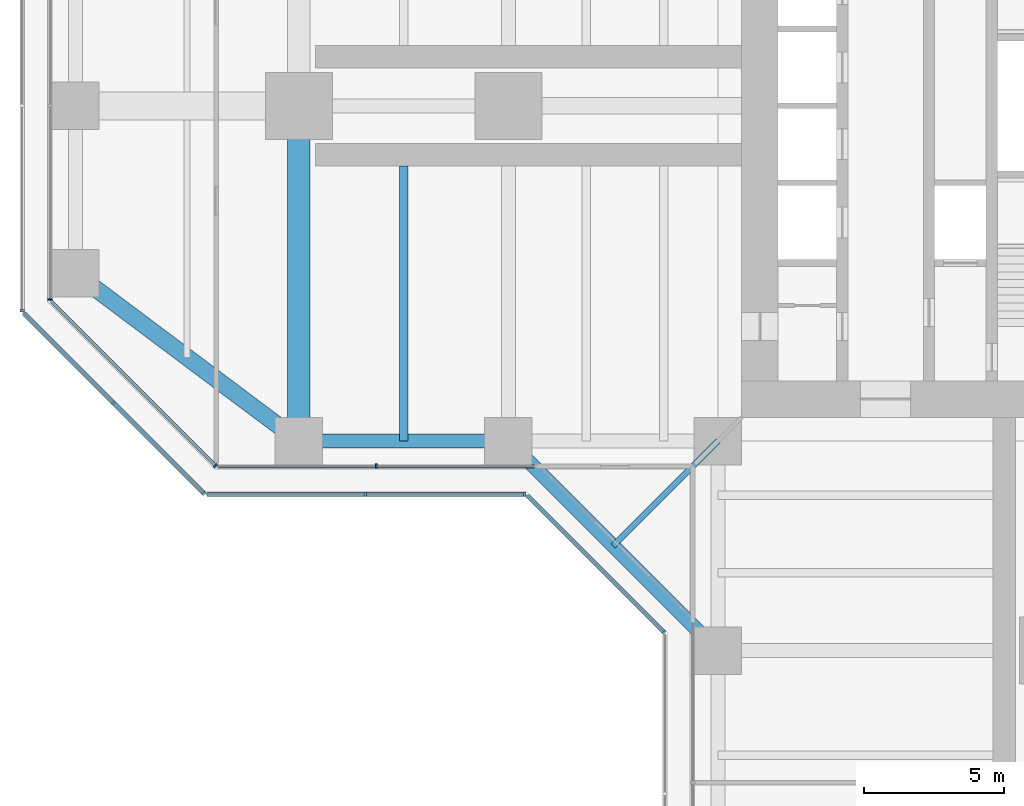
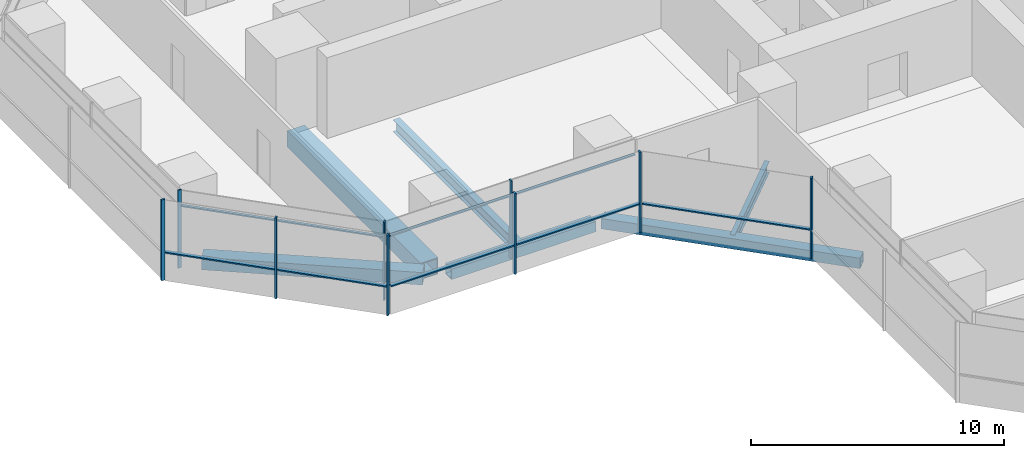
# One storey, part 3 of 22: 17 members, 6 beams, 7 elements without a shape of their own.
"""IFC4 building model written with IfcOpenShell, lengths in metres."""

from ifc_helpers import new_model, si_unit, direction, frame, origin, origin_2d, place, context, subcontext, project, spatial, rectangle, hollow_rectangle, i_section, extrude, material, material_profile, profile_set, type_object, element, aggregate, save


model = new_model("IFC4")

# Units and contexts
model_context = context("Model", 3, precision=1e-05, world=origin(), true_north=direction((0.0, 1.0)))
body_context = subcontext(model_context, "Body", "Model", "MODEL_VIEW")
ifc_project = project(units=[si_unit("LENGTHUNIT", "METRE"), si_unit("AREAUNIT", "SQUARE_METRE"), si_unit("VOLUMEUNIT", "CUBIC_METRE"), si_unit("PLANEANGLEUNIT", "RADIAN"), si_unit("MASSUNIT", "GRAM", prefix="KILO")], contexts=[model_context])

# Site, building, storey
site_placement = place(None, origin())
site = spatial("IfcSite", under=ifc_project, at=site_placement, CompositionType="ELEMENT")
building_placement = place(site_placement, origin())
building = spatial("IfcBuilding", under=site, at=building_placement, Name="Mizan Broadcast Tower", CompositionType="ELEMENT")
storey_placement = place(building_placement, frame((0.0, 0.0, 78.60009765625)))
storey = spatial("IfcBuildingStorey", under=building, at=storey_placement, Name="L16", CompositionType="ELEMENT", Elevation=78.60009765625)

# Beams
ifc_material_1 = material(Name="Steel S355", Category="steel")
ifc_material_profile_1 = material_profile(ifc_material_1, hollow_rectangle(XDim=0.5, YDim=0.5, WallThickness=0.030029296875, at=origin_2d()), Name="BOX 500x500x30")
ifc_profile_set_1 = profile_set([ifc_material_profile_1], Name="Steel S355")
beam_type_1 = type_object("IfcBeamType", Name="EDGE BEAM BOX 500x500x30", PredefinedType="SPANDREL", material=ifc_profile_set_1)
beam_1_placement = place(storey_placement, frame((-19.949951171875, -12.0, -0.380126953125), z_axis=(-1.0, 0.0, 0.0), x_axis=(0.0, -1.0, 0.0)))
element("IfcBeam", 1, at=beam_1_placement, inside=storey, type_object=beam_type_1, Name="Edge beam BOX 500x500x30 L16 west arm", PredefinedType="SPANDREL", context=body_context, shape_type="SweptSolid", body=[
    extrude(hollow_rectangle(XDim=0.5, YDim=0.5, WallThickness=0.030029296875, at=origin_2d()), origin(), (0.0, 0.0, 1.0), 6.60009765625),
])
beam_2_placement = place(storey_placement, frame((-19.5, -12.0, -0.380126953125), z_axis=(0.707106781187, -0.707106781187, 0.0), x_axis=(0.707106781187, 0.707106781187, 0.0)))
element("IfcBeam", 2, at=beam_2_placement, inside=storey, type_object=beam_type_1, Name="Winter garden edge beam L16 W", PredefinedType="SPANDREL", context=body_context, shape_type="SweptSolid", body=[
    extrude(hollow_rectangle(XDim=0.5, YDim=0.5, WallThickness=0.030029296875, at=origin_2d()), origin(), (0.0, 0.0, 1.0), 10.606689453125),
])
ifc_material_2 = material(Name="Steel S355", Category="steel")
ifc_material_profile_2 = material_profile(ifc_material_2, hollow_rectangle(XDim=0.60009765625, YDim=0.60009765625, WallThickness=0.030029296875, at=origin_2d()), Name="BOX 600x600x30")
ifc_profile_set_2 = profile_set([ifc_material_profile_2], Name="Steel S355")
beam_type_2 = type_object("IfcBeamType", Name="EDGE BEAM BOX 600x600x30", PredefinedType="SPANDREL", material=ifc_profile_set_2)
beam_3_placement = place(storey_placement, frame((-27.47998046875, -11.639892578125, -0.43017578125), z_axis=(-0.800013316712, 0.599982243973, 0.0), x_axis=(-0.599982243973, -0.800013316712, 0.0)))
element("IfcBeam", 3, at=beam_3_placement, inside=storey, type_object=beam_type_2, Name="Edge beam BOX 600x600x30 L16 west arm", PredefinedType="SPANDREL", context=body_context, shape_type="SweptSolid", body=[
    extrude(hollow_rectangle(XDim=0.60009765625, YDim=0.60009765625, WallThickness=0.030029296875, at=origin_2d()), origin(), (0.0, 0.0, 1.0), 8.7998046875),
])
ifc_material_3 = material(Name="Steel S460", Category="steel")
ifc_material_profile_3 = material_profile(ifc_material_3, hollow_rectangle(XDim=0.800048828125, YDim=0.800048828125, WallThickness=0.050048828125, at=origin_2d()), Name="BOX 800x800x50")
ifc_profile_set_3 = profile_set([ifc_material_profile_3], Name="Steel S460")
beam_type_3 = type_object("IfcBeamType", Name="GIRDER BOX 800x800x50", PredefinedType="BEAM", material=ifc_profile_set_3)
beam_4_placement = place(storey_placement, frame((-27.0, -11.280029296875, -0.530029296875), z_axis=(0.0, 1.0, 0.0), x_axis=(-1.0, 0.0, 0.0)))
element("IfcBeam", 4, at=beam_4_placement, inside=storey, type_object=beam_type_3, Name="Girder BOX 800x800x50 L16 west arm", PredefinedType="BEAM", context=body_context, shape_type="SweptSolid", body=[
    extrude(hollow_rectangle(XDim=0.800048828125, YDim=0.800048828125, WallThickness=0.050048828125, at=origin_2d()), origin(), (0.0, 0.0, 1.0), 10.56005859375),
])

# Curtain wall, member
ifc_material_4 = material(Name="Aluminium framed glazing", Category="aluminium")
curtain_wall_type_1 = type_object("IfcCurtainWallType", Name="INNER SKIN LOW ZONE", PredefinedType="USERDEFINED", material=ifc_material_4)
curtain_wall_1_placement = place(storey_placement, origin())
curtain_wall_1 = element("IfcCurtainWall", 5, at=curtain_wall_1_placement, inside=storey, type_object=curtain_wall_type_1, Name="Inner skin low zone L16 W end", ObjectType="INNER SKIN LOW ZONE", PredefinedType="USERDEFINED")
ifc_material_5 = material(Name="Aluminium, pale anodised", Category="aluminium")
ifc_material_profile_4 = material_profile(ifc_material_5, rectangle(XDim=0.159912109375, YDim=0.06005859375, at=origin_2d()), Name="MULLION 160x60")
ifc_profile_set_4 = profile_set([ifc_material_profile_4], Name="Aluminium, pale anodised")
member_type_1 = type_object("IfcMemberType", Name="INNER SKIN MULLION 60x160", PredefinedType="MULLION", material=ifc_profile_set_4)
member_1_placement = place(storey_placement, frame((-35.89990234375, -6.928466796875, 0.0), z_axis=(0.0, 0.0, 1.0), x_axis=(1.0, 0.0, 0.0)))
member_1 = element("IfcMember", 6, at=member_1_placement, type_object=member_type_1, Name="Inner skin low zone L16 W end mullion 3", PredefinedType="MULLION", context=body_context, shape_type="SweptSolid", body=[
    extrude(rectangle(XDim=0.159912109375, YDim=0.06005859375, at=origin_2d()), origin(), (0.0, 0.0, 1.0), 3.77001953125),
])
aggregate(curtain_wall_1, [member_1])

curtain_wall_2_placement = place(storey_placement, origin())
curtain_wall_2 = element("IfcCurtainWall", 7, at=curtain_wall_2_placement, inside=storey, type_object=curtain_wall_type_1, Name="Inner skin low zone L16 W chamfer", ObjectType="INNER SKIN LOW ZONE", PredefinedType="USERDEFINED")
member_2_placement = place(storey_placement, frame((-29.979736328125, -12.87890625, 0.0), z_axis=(0.0, 0.0, 1.0), x_axis=(0.707106781187, 0.707106781187, 0.0)))
member_2 = element("IfcMember", 8, at=member_2_placement, type_object=member_type_1, Name="Inner skin low zone L16 W chamfer mullion 2", PredefinedType="MULLION", context=body_context, shape_type="SweptSolid", body=[
    extrude(rectangle(XDim=0.159912109375, YDim=0.06005859375, at=origin_2d()), origin(), (0.0, 0.0, 1.0), 3.77001953125),
])

curtain_wall_3_placement = place(storey_placement, origin())
curtain_wall_3 = element("IfcCurtainWall", 9, at=curtain_wall_3_placement, inside=storey, type_object=curtain_wall_type_1, Name="Inner skin low zone L16 W side", ObjectType="INNER SKIN LOW ZONE", PredefinedType="USERDEFINED")
member_3_placement = place(storey_placement, frame((-24.229248046875, -12.89990234375, 0.0), z_axis=(0.0, 0.0, 1.0), x_axis=(0.0, 1.0, 0.0)))
member_3 = element("IfcMember", 10, at=member_3_placement, type_object=member_type_1, Name="Inner skin low zone L16 W side mullion 2", PredefinedType="MULLION", context=body_context, shape_type="SweptSolid", body=[
    extrude(rectangle(XDim=0.159912109375, YDim=0.06005859375, at=origin_2d()), origin(), (0.0, 0.0, 1.0), 3.77001953125),
])

# Member
ifc_material_6 = material(Name="Aluminium, pale anodised", Category="aluminium")
ifc_material_profile_5 = material_profile(ifc_material_6, rectangle(XDim=0.1201171875, YDim=0.06005859375, at=origin_2d()), Name="TRANSOM 120x60")
ifc_profile_set_5 = profile_set([ifc_material_profile_5], Name="Aluminium, pale anodised")
member_type_2 = type_object("IfcMemberType", Name="INNER SKIN TRANSOM 60x120", PredefinedType="USERDEFINED", material=ifc_profile_set_5)
member_4_placement = place(storey_placement, frame((-35.857666015625, -7.0009765625, 3.02978515625), z_axis=(0.707106781187, -0.707106781187, 0.0), x_axis=(0.707106781187, 0.707106781187, 0.0)))
member_4 = element("IfcMember", 11, at=member_4_placement, type_object=member_type_2, Name="Inner skin low zone L16 W chamfer transom 1.1", ObjectType="TRANSOM", PredefinedType="USERDEFINED", context=body_context, shape_type="SweptSolid", body=[
    extrude(rectangle(XDim=0.1201171875, YDim=0.06005859375, at=origin_2d()), origin(), (0.0, 0.0, 1.0), 8.28271484375),
])

aggregate(curtain_wall_2, [member_2, member_4])

member_5_placement = place(storey_placement, frame((-29.898681640625, -12.89990234375, 3.02978515625), z_axis=(1.0, 0.0, 0.0), x_axis=(0.0, 1.0, 0.0)))
member_5 = element("IfcMember", 12, at=member_5_placement, type_object=member_type_2, Name="Inner skin low zone L16 W side transom 1.1", ObjectType="TRANSOM", PredefinedType="USERDEFINED", context=body_context, shape_type="SweptSolid", body=[
    extrude(rectangle(XDim=0.1201171875, YDim=0.06005859375, at=origin_2d()), origin(), (0.0, 0.0, 1.0), 5.639404296875),
])

member_6_placement = place(storey_placement, frame((-24.19921875, -12.89990234375, 3.02978515625), z_axis=(1.0, 0.0, 0.0), x_axis=(0.0, 1.0, 0.0)))
member_6 = element("IfcMember", 13, at=member_6_placement, type_object=member_type_2, Name="Inner skin low zone L16 W side transom 2.1", ObjectType="TRANSOM", PredefinedType="USERDEFINED", context=body_context, shape_type="SweptSolid", body=[
    extrude(rectangle(XDim=0.1201171875, YDim=0.06005859375, at=origin_2d()), origin(), (0.0, 0.0, 1.0), 5.63916015625),
])

aggregate(curtain_wall_3, [member_3, member_5, member_6])

# Curtain wall, member
ifc_material_7 = material(Name="Aluminium framed glazing", Category="aluminium")
curtain_wall_type_2 = type_object("IfcCurtainWallType", Name="OUTER SKIN", PredefinedType="USERDEFINED", material=ifc_material_7)
curtain_wall_4_placement = place(storey_placement, origin())
curtain_wall_4 = element("IfcCurtainWall", 14, at=curtain_wall_4_placement, inside=storey, type_object=curtain_wall_type_2, Name="Outer skin L16 W end", ObjectType="OUTER SKIN", PredefinedType="USERDEFINED")
ifc_material_8 = material(Name="Aluminium, pale anodised", Category="aluminium")
ifc_material_profile_6 = material_profile(ifc_material_8, rectangle(XDim=0.159912109375, YDim=0.080078125, at=origin_2d()), Name="MULLION 160x80")
ifc_profile_set_6 = profile_set([ifc_material_profile_6], Name="Aluminium, pale anodised")
member_type_3 = type_object("IfcMemberType", Name="OUTER SKIN MULLION 80x160", PredefinedType="MULLION", material=ifc_profile_set_6)
member_7_placement = place(storey_placement, frame((-36.89990234375, -7.332763671875, 0.0), z_axis=(0.0, 0.0, 1.0), x_axis=(1.0, 0.0, 0.0)))
member_7 = element("IfcMember", 15, at=member_7_placement, type_object=member_type_3, Name="Outer skin L16 W end mullion 3", PredefinedType="MULLION", context=body_context, shape_type="SweptSolid", body=[
    extrude(rectangle(XDim=0.159912109375, YDim=0.080078125, at=origin_2d()), origin(), (0.0, 0.0, 1.0), 3.89990234375),
])
aggregate(curtain_wall_4, [member_7])

# Curtain wall, members
curtain_wall_5_placement = place(storey_placement, origin())
curtain_wall_5 = element("IfcCurtainWall", 16, at=curtain_wall_5_placement, inside=storey, type_object=curtain_wall_type_2, Name="Outer skin L16 W chamfer", ObjectType="OUTER SKIN", PredefinedType="USERDEFINED")
member_8_placement = place(storey_placement, frame((-33.636474609375, -10.636474609375, 0.0), z_axis=(0.0, 0.0, 1.0), x_axis=(0.707106781187, 0.707106781187, 0.0)))
member_8 = element("IfcMember", 17, at=member_8_placement, type_object=member_type_3, Name="Outer skin L16 W chamfer mullion 2", PredefinedType="MULLION", context=body_context, shape_type="SweptSolid", body=[
    extrude(rectangle(XDim=0.159912109375, YDim=0.080078125, at=origin_2d()), origin(), (0.0, 0.0, 1.0), 3.89990234375),
])
member_9_placement = place(storey_placement, frame((-30.401123046875, -13.871826171875, 0.0), z_axis=(0.0, 0.0, 1.0), x_axis=(0.707106781187, 0.707106781187, 0.0)))
member_9 = element("IfcMember", 18, at=member_9_placement, type_object=member_type_3, Name="Outer skin L16 W chamfer mullion 3", PredefinedType="MULLION", context=body_context, shape_type="SweptSolid", body=[
    extrude(rectangle(XDim=0.159912109375, YDim=0.080078125, at=origin_2d()), origin(), (0.0, 0.0, 1.0), 3.89990234375),
])

curtain_wall_6_placement = place(storey_placement, origin())
curtain_wall_6 = element("IfcCurtainWall", 19, at=curtain_wall_6_placement, inside=storey, type_object=curtain_wall_type_2, Name="Outer skin L16 W side", ObjectType="OUTER SKIN", PredefinedType="USERDEFINED")
member_10_placement = place(storey_placement, frame((-24.622802734375, -13.89990234375, 0.0), z_axis=(0.0, 0.0, 1.0), x_axis=(0.0, 1.0, 0.0)))
member_10 = element("IfcMember", 20, at=member_10_placement, type_object=member_type_3, Name="Outer skin L16 W side mullion 2", PredefinedType="MULLION", context=body_context, shape_type="SweptSolid", body=[
    extrude(rectangle(XDim=0.159912109375, YDim=0.080078125, at=origin_2d()), origin(), (0.0, 0.0, 1.0), 3.89990234375),
])
member_11_placement = place(storey_placement, frame((-18.912841796875, -13.89990234375, 0.0), z_axis=(0.0, 0.0, 1.0), x_axis=(0.0, 1.0, 0.0)))
member_11 = element("IfcMember", 21, at=member_11_placement, type_object=member_type_3, Name="Outer skin L16 W side mullion 3", PredefinedType="MULLION", context=body_context, shape_type="SweptSolid", body=[
    extrude(rectangle(XDim=0.159912109375, YDim=0.080078125, at=origin_2d()), origin(), (0.0, 0.0, 1.0), 3.89990234375),
])

# Curtain wall, member
curtain_wall_7_placement = place(storey_placement, origin())
curtain_wall_7 = element("IfcCurtainWall", 22, at=curtain_wall_7_placement, inside=storey, type_object=curtain_wall_type_2, Name="Outer skin L16 W chamfer", ObjectType="OUTER SKIN", PredefinedType="USERDEFINED")
member_12_placement = place(storey_placement, frame((-13.92822265625, -18.844482421875, 0.0), z_axis=(0.0, 0.0, 1.0), x_axis=(0.707106781187, 0.707106781187, 0.0)))
member_12 = element("IfcMember", 23, at=member_12_placement, type_object=member_type_3, Name="Outer skin L16 W chamfer mullion 2", PredefinedType="MULLION", context=body_context, shape_type="SweptSolid", body=[
    extrude(rectangle(XDim=0.159912109375, YDim=0.080078125, at=origin_2d()), origin(), (0.0, 0.0, 1.0), 3.89990234375),
])

# Member
ifc_material_9 = material(Name="Aluminium, pale anodised", Category="aluminium")
ifc_material_profile_7 = material_profile(ifc_material_9, rectangle(XDim=0.159912109375, YDim=0.06005859375, at=origin_2d()), Name="TRANSOM 160x60")
ifc_profile_set_7 = profile_set([ifc_material_profile_7], Name="Aluminium, pale anodised")
member_type_4 = type_object("IfcMemberType", Name="OUTER SKIN TRANSOM 60x160", PredefinedType="USERDEFINED", material=ifc_profile_set_7)
member_13_placement = place(storey_placement, frame((-36.843505859375, -7.429443359375, 1.39990234375), z_axis=(0.707106781187, -0.707106781187, 0.0), x_axis=(0.707106781187, 0.707106781187, 0.0)))
member_13 = element("IfcMember", 24, at=member_13_placement, type_object=member_type_4, Name="Outer skin L16 W chamfer transom 1.1", ObjectType="TRANSOM", PredefinedType="USERDEFINED", context=body_context, shape_type="SweptSolid", body=[
    extrude(rectangle(XDim=0.159912109375, YDim=0.06005859375, at=origin_2d()), origin(), (0.0, 0.0, 1.0), 4.495361328125),
])

member_14_placement = place(storey_placement, frame((-33.608154296875, -10.664794921875, 1.39990234375), z_axis=(0.707106781187, -0.707106781187, 0.0), x_axis=(0.707106781187, 0.707106781187, 0.0)))
member_14 = element("IfcMember", 25, at=member_14_placement, type_object=member_type_4, Name="Outer skin L16 W chamfer transom 2.1", ObjectType="TRANSOM", PredefinedType="USERDEFINED", context=body_context, shape_type="SweptSolid", body=[
    extrude(rectangle(XDim=0.159912109375, YDim=0.06005859375, at=origin_2d()), origin(), (0.0, 0.0, 1.0), 4.495361328125),
])

aggregate(curtain_wall_5, [member_8, member_9, member_13, member_14])

member_15_placement = place(storey_placement, frame((-30.292724609375, -13.89990234375, 1.39990234375), z_axis=(1.0, 0.0, 0.0), x_axis=(0.0, 1.0, 0.0)))
member_15 = element("IfcMember", 26, at=member_15_placement, type_object=member_type_4, Name="Outer skin L16 W side transom 1.1", ObjectType="TRANSOM", PredefinedType="USERDEFINED", context=body_context, shape_type="SweptSolid", body=[
    extrude(rectangle(XDim=0.159912109375, YDim=0.06005859375, at=origin_2d()), origin(), (0.0, 0.0, 1.0), 5.6298828125),
])

member_16_placement = place(storey_placement, frame((-24.582763671875, -13.89990234375, 1.39990234375), z_axis=(1.0, 0.0, 0.0), x_axis=(0.0, 1.0, 0.0)))
member_16 = element("IfcMember", 27, at=member_16_placement, type_object=member_type_4, Name="Outer skin L16 W side transom 2.1", ObjectType="TRANSOM", PredefinedType="USERDEFINED", context=body_context, shape_type="SweptSolid", body=[
    extrude(rectangle(XDim=0.159912109375, YDim=0.06005859375, at=origin_2d()), origin(), (0.0, 0.0, 1.0), 5.6298828125),
])

aggregate(curtain_wall_6, [member_10, member_11, member_15, member_16])

member_17_placement = place(storey_placement, frame((-18.816162109375, -13.95654296875, 1.39990234375), z_axis=(0.707106781187, -0.707106781187, 0.0), x_axis=(0.707106781187, 0.707106781187, 0.0)))
member_17 = element("IfcMember", 28, at=member_17_placement, type_object=member_type_4, Name="Outer skin L16 W chamfer transom 1.1", ObjectType="TRANSOM", PredefinedType="USERDEFINED", context=body_context, shape_type="SweptSolid", body=[
    extrude(rectangle(XDim=0.159912109375, YDim=0.06005859375, at=origin_2d()), origin(), (0.0, 0.0, 1.0), 6.87255859375),
])

aggregate(curtain_wall_7, [member_12, member_17])

# Beams
ifc_material_10 = material(Name="Steel S355", Category="steel")
ifc_material_profile_8 = material_profile(ifc_material_10, i_section(OverallWidth=0.300048828125, OverallDepth=0.590087890625, WebThickness=0.012939453125, FlangeThickness=0.02490234375, FilletRadius=0.027099609375, at=origin_2d()), Name="HEA 600")
ifc_profile_set_8 = profile_set([ifc_material_profile_8], Name="Steel S355")
beam_type_4 = type_object("IfcBeamType", Name="SECONDARY BEAM HEA 600", PredefinedType="JOIST", material=ifc_profile_set_8)
beam_5_placement = place(storey_placement, frame((-23.25, -12.0, -0.425048828125), z_axis=(0.0, 1.0, 0.0), x_axis=(-1.0, 0.0, 0.0)))
element("IfcBeam", 29, at=beam_5_placement, inside=storey, type_object=beam_type_4, Name="Secondary beam HEA 600 L16 west arm", PredefinedType="JOIST", context=body_context, shape_type="SweptSolid", body=[
    extrude(i_section(OverallWidth=0.300048828125, OverallDepth=0.590087890625, WebThickness=0.012939453125, FlangeThickness=0.02490234375, FilletRadius=0.027099609375, at=origin_2d()), origin(), (0.0, 0.0, 1.0), 9.85009765625),
])
ifc_material_11 = material(Name="Steel S355", Category="steel")
ifc_material_profile_9 = material_profile(ifc_material_11, i_section(OverallWidth=0.2099609375, OverallDepth=0.550048828125, WebThickness=0.010986328125, FlangeThickness=0.01708984375, FilletRadius=0.02392578125, at=origin_2d()), Name="IPE 550")
ifc_profile_set_9 = profile_set([ifc_material_profile_9], Name="Steel S355")
beam_type_5 = type_object("IfcBeamType", Name="SECONDARY BEAM IPE 550", PredefinedType="JOIST", material=ifc_profile_set_9)
beam_6_placement = place(storey_placement, frame((-12.0, -12.0, -0.405029296875), z_axis=(-0.707106781187, -0.707106781187, 0.0), x_axis=(0.707106781187, -0.707106781187, 0.0)))
element("IfcBeam", 30, at=beam_6_placement, inside=storey, type_object=beam_type_5, Name="Winter garden beam L16 W", PredefinedType="JOIST", context=body_context, shape_type="SweptSolid", body=[
    extrude(i_section(OverallWidth=0.2099609375, OverallDepth=0.550048828125, WebThickness=0.010986328125, FlangeThickness=0.01708984375, FilletRadius=0.02392578125, at=origin_2d()), origin(), (0.0, 0.0, 1.0), 5.30322265625),
])

save(model, "model.ifc")
